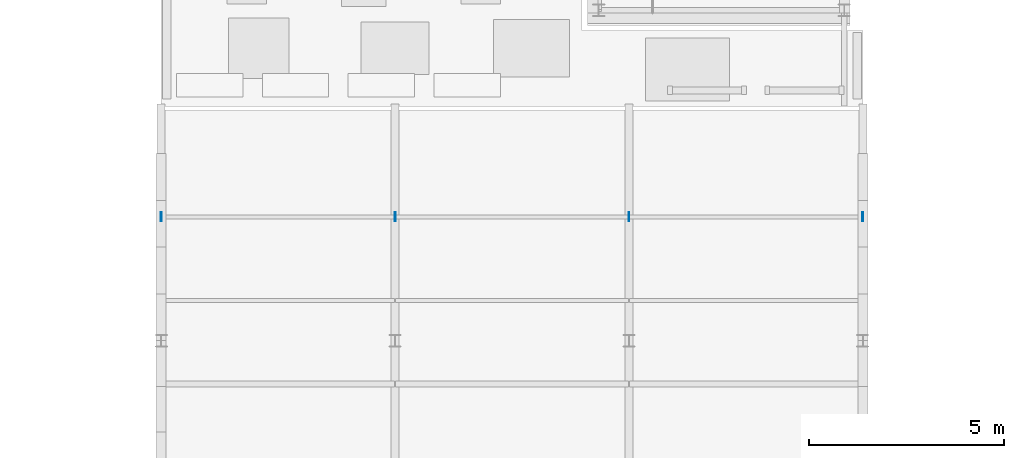
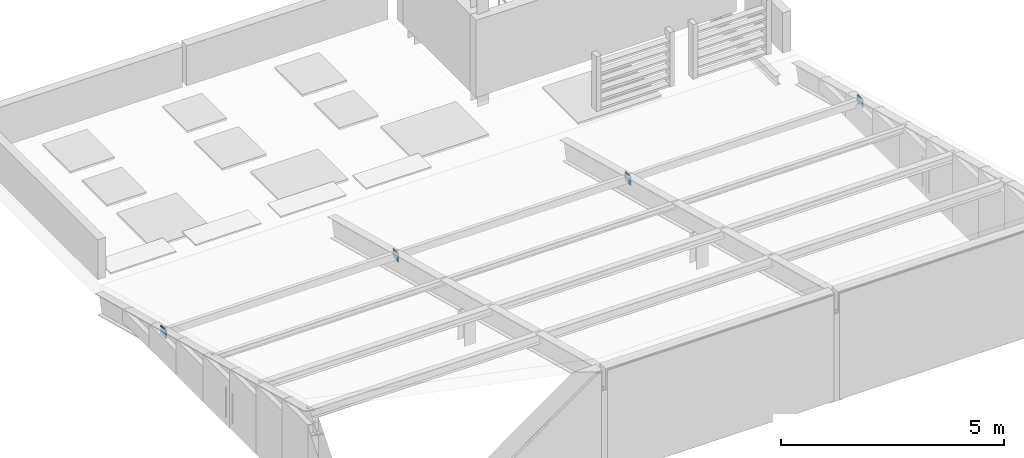
# One storey, part 56 of 74: 4 plates.
"""IFC4 building model written with IfcOpenShell, lengths in metres."""

import ifcopenshell
import ifcopenshell.guid

model = None  # the IFC model being written
_history = None  # IfcOwnerHistory: only IFC2X3 demands one
_inside = {}  # id of a spatial element -> (the spatial element, [elements in it])
_under = {}  # id of a project, library or spatial element -> (it, [spatial elements below it])
_declared = {}  # id of a project -> (the project, [libraries it declares])
_typed = {}  # id of a type object -> (the type object, [elements of that type])
_made_of = {}  # id of a material, layer set ... -> (it, [elements and type objects made of it])


def new_model(schema):
    """Start an empty IFC model of exactly this schema.

    Asked for "IFC4X3", IfcOpenShell would pick the latest addendum, in which some entities
    have other attributes; the version numbers below select the first issue.
    IFC2X3 requires an IfcOwnerHistory on every rooted entity: one is made here for all.
    """
    global model, _history
    if schema == "IFC4X3":
        model = ifcopenshell.file(schema_version=(4, 3, 0, 0))
    else:
        model = ifcopenshell.file(schema=schema)
    _inside.clear()
    _under.clear()
    _declared.clear()
    _typed.clear()
    _made_of.clear()
    _history = None
    if model.schema == "IFC2X3":
        org = make("IfcOrganization", Name="unknown")
        user = make(
            "IfcPersonAndOrganization",
            ThePerson=make("IfcPerson", FamilyName="unknown"),
            TheOrganization=org,
        )
        app = make(
            "IfcApplication",
            ApplicationDeveloper=org,
            Version="unknown",
            ApplicationFullName="unknown",
            ApplicationIdentifier="unknown",
        )
        _history = make(
            "IfcOwnerHistory",
            OwningUser=user,
            OwningApplication=app,
            ChangeAction="ADDED",
            CreationDate=0,
        )
    return model


def make(cls, **values):
    """One entity of the class cls with the attributes given. An attribute that is None is left unset."""
    return model.create_entity(
        cls, **{name: value for name, value in values.items() if value is not None}
    )


def rooted(cls, **values):
    """An entity with a GlobalId (a new one), such as an element, a storey or a relation."""
    return make(cls, GlobalId=ifcopenshell.guid.new(), OwnerHistory=_history, **values)


def si_unit(unit_type, name, prefix=None):
    """IfcSIUnit, for example si_unit("LENGTHUNIT", "METRE", prefix="MILLI")."""
    return make("IfcSIUnit", UnitType=unit_type, Prefix=prefix, Name=name)


def assignment(units):
    """IfcUnitAssignment: the units of a project."""
    return None if units is None else make("IfcUnitAssignment", Units=units)


def point(xyz):
    """IfcCartesianPoint."""
    return None if xyz is None else make("IfcCartesianPoint", Coordinates=xyz)


def direction(xyz):
    """IfcDirection."""
    return None if xyz is None else make("IfcDirection", DirectionRatios=xyz)


def frame(location, z_axis=None, x_axis=None):
    """IfcAxis2Placement3D, a coordinate frame: its origin and axes. An axis left out is left unset."""
    return make(
        "IfcAxis2Placement3D",
        Location=point(location),
        Axis=direction(z_axis),
        RefDirection=direction(x_axis),
    )


def frame_2d(location, x_axis=None):
    """IfcAxis2Placement2D, a coordinate frame in the plane: its origin and x axis."""
    return make(
        "IfcAxis2Placement2D", Location=point(location), RefDirection=direction(x_axis)
    )


def origin():
    """The frame at (0, 0, 0) with its axes left unset."""
    return frame((0.0, 0.0, 0.0))


def origin_2d():
    """The frame at (0, 0) in the plane with its x axis left unset."""
    return frame_2d((0.0, 0.0))


def place(relative_to, where):
    """IfcLocalPlacement: puts the frame where relative to a parent placement (None: the world)."""
    return make(
        "IfcLocalPlacement", PlacementRelTo=relative_to, RelativePlacement=where
    )


def context(
    kind, dimensions, precision=None, world=None, true_north=None, identifier=None
):
    """IfcGeometricRepresentationContext, for example the 3D "Model" context."""
    return make(
        "IfcGeometricRepresentationContext",
        ContextIdentifier=identifier,
        ContextType=kind,
        CoordinateSpaceDimension=dimensions,
        Precision=precision,
        WorldCoordinateSystem=world,
        TrueNorth=true_north,
    )


def subcontext(parent, identifier, kind, view, scale=None):
    """IfcGeometricRepresentationSubContext, for example "Body" below "Model"."""
    return make(
        "IfcGeometricRepresentationSubContext",
        ContextIdentifier=identifier,
        ContextType=kind,
        ParentContext=parent,
        TargetScale=scale,
        TargetView=view,
    )


def project(units=None, contexts=None):
    """IfcProject with its units and contexts."""
    return rooted(
        "IfcProject",
        Name="project",
        RepresentationContexts=contexts,
        UnitsInContext=assignment(units),
    )


def spatial(cls, under=None, at=None, **own):
    """A site, building, storey or space (cls), placed at a placement, below another one or the project."""
    s = rooted(cls, ObjectPlacement=at, **own)
    if under is not None:
        _under.setdefault(under.id(), (under, []))[1].append(s)
    return s


def profile(cls, at=None, kind="AREA", **sizes):
    """A parametric profile (cls). Its sizes go by their IFC names, for example OverallWidth=200.0."""
    return make(cls, ProfileType=kind, Position=at, **sizes)


def rectangle(**sizes):
    """IfcRectangleProfileDef."""
    return profile("IfcRectangleProfileDef", **sizes)


def extrude(swept, where, along, depth):
    """IfcExtrudedAreaSolid: the profile swept, set in the frame where, extruded along a direction by depth."""
    return make(
        "IfcExtrudedAreaSolid",
        SweptArea=swept,
        Position=where,
        ExtrudedDirection=direction(along),
        Depth=depth,
    )


def shape(context_of_items, identifier, shape_type, items):
    """IfcShapeRepresentation: the items that make up one representation, for example the "Body"."""
    return make(
        "IfcShapeRepresentation",
        ContextOfItems=context_of_items,
        RepresentationIdentifier=identifier,
        RepresentationType=shape_type,
        Items=items,
    )


def material(Name=None, Category=None):
    """IfcMaterial."""
    return make("IfcMaterial", Name=Name, Category=Category)


def layer(
    of_material, thickness, ventilated=None, Name=None, Category=None, Priority=None
):
    """IfcMaterialLayer: one layer of a wall or slab, of a material (None: an air gap)."""
    return make(
        "IfcMaterialLayer",
        Material=of_material,
        LayerThickness=thickness,
        IsVentilated=ventilated,
        Name=Name,
        Category=Category,
        Priority=Priority,
    )


def layer_set(layers, Name=None):
    """IfcMaterialLayerSet."""
    return make("IfcMaterialLayerSet", MaterialLayers=layers, LayerSetName=Name)


def made_of(thing, what):
    """Note that an element or type object is made of a material, layer set ...; save() writes the relation."""
    if what is not None:
        _made_of.setdefault(what.id(), (what, []))[1].append(thing)
    return thing


def type_object(cls, material=None, **own):
    """A type object (cls), such as IfcWallType, which elements share."""
    return made_of(rooted(cls, **own), material)


def element(
    cls,
    number,
    at=None,
    inside=None,
    cuts=None,
    type_object=None,
    material=None,
    context=None,
    identifier="Body",
    shape_type=None,
    held_by="IfcProductDefinitionShape",
    body=None,
    shapes=None,
    **own,
):
    """One element of the class cls, such as IfcWall. Its Tag is "e" and its number.

    at: its placement. inside: the storey or other place that contains it. cuts: it is an
    opening in that element (IfcRelVoidsElement). A single representation is given by context,
    identifier, shape_type and body (its items); several are given by shapes. held_by: the class
    of the entity that holds the representations. save() writes the other relations.
    """
    e = rooted(cls, Tag="e%d" % number, ObjectPlacement=at, **own)
    if body is not None:
        shapes = [shape(context, identifier, shape_type, body)]
    if shapes is not None:
        e.Representation = make(held_by, Representations=shapes)
    if inside is not None:
        _inside.setdefault(inside.id(), (inside, []))[1].append(e)
    if cuts is not None:
        rooted(
            "IfcRelVoidsElement", RelatingBuildingElement=cuts, RelatedOpeningElement=e
        )
    if type_object is not None:
        _typed.setdefault(type_object.id(), (type_object, []))[1].append(e)
    return made_of(e, material)


def aggregate(whole, parts):
    """IfcRelAggregates: a whole, such as a stair, and the parts it consists of."""
    return rooted("IfcRelAggregates", RelatingObject=whole, RelatedObjects=parts)


def save(model, path):
    """Write the relations noted so far, then the file.

    IfcRelAggregates (storeys below a building ...), IfcRelContainedInSpatialStructure (elements
    in a storey), IfcRelDefinesByType, IfcRelAssociatesMaterial and IfcRelDeclares: one each for
    every whole, place, type object, material and project.
    """
    for whole, parts in _under.values():
        aggregate(whole, parts)
    for where, things in _inside.values():
        rooted(
            "IfcRelContainedInSpatialStructure",
            RelatedElements=things,
            RelatingStructure=where,
        )
    for kind, things in _typed.values():
        rooted("IfcRelDefinesByType", RelatedObjects=things, RelatingType=kind)
    for what, things in _made_of.values():
        rooted("IfcRelAssociatesMaterial", RelatedObjects=things, RelatingMaterial=what)
    for by, libraries in _declared.values():
        rooted("IfcRelDeclares", RelatingContext=by, RelatedDefinitions=libraries)
    model.write(path)


model = new_model("IFC4")

# Units and contexts
model_context = context("Model", 3, precision=1e-05, world=origin(), true_north=direction((0.0, 1.0)))
body_context = subcontext(model_context, "Body", "Model", "MODEL_VIEW")
ifc_project = project(units=[si_unit("LENGTHUNIT", "METRE"), si_unit("AREAUNIT", "SQUARE_METRE"), si_unit("VOLUMEUNIT", "CUBIC_METRE"), si_unit("PLANEANGLEUNIT", "RADIAN"), si_unit("MASSUNIT", "GRAM", prefix="KILO")], contexts=[model_context])

# Site, building, storey
site_placement = place(None, origin())
site = spatial("IfcSite", under=ifc_project, at=site_placement, CompositionType="ELEMENT")
building_placement = place(site_placement, origin())
building = spatial("IfcBuilding", under=site, at=building_placement, Name="Siltcreek Boulevard Central Fire Station", CompositionType="ELEMENT")
storey_placement = place(building_placement, frame((0.0, 0.0, 25.199951171875)))
storey = spatial("IfcBuildingStorey", under=building, at=storey_placement, Name="RF", CompositionType="ELEMENT", Elevation=25.199951171875)

# Plates
ifc_material = material(Name="Structural steel ASTM A572 Gr50", Category="steel")
ifc_layer = layer(ifc_material, 0.02490234375, Name="Structural steel ASTM A572 Gr50")
ifc_layer_set = layer_set([ifc_layer], Name="Structural steel ASTM A572 Gr50")
plate_type = type_object("IfcPlateType", Name="PL_CAP25", PredefinedType="USERDEFINED", material=ifc_layer_set)
for number, where, z_axis, x_axis, name in (
    (1, (41.99951171875, 103.3759765625, 0.3095703125), (0.0, 0.0, 1.0), (1.0, 0.0, 0.0), "Sloped roof purlin PR-0175 sealed end cap 1"),
    (2, (48.00048828125, 103.3759765625, 0.3095703125), (0.0, 0.0, 1.0), (1.0, 0.0, 0.0), "Sloped roof purlin PR-0175 sealed end cap 2"),
    (3, (54.00048828125, 103.3759765625, 0.3095703125), (0.0, 0.0, 1.0), (1.0, 0.0, 0.0), "Sloped roof purlin PR-0179 sealed end cap 2"),
    (4, (60.00048828125, 103.3759765625, 0.3095703125), (0.0, 0.0, 1.0), (1.0, 0.0, 0.0), "Sloped roof purlin PR-0183 sealed end cap 2"),
):
    element("IfcPlate", number, at=place(storey_placement, frame(where, z_axis=z_axis, x_axis=x_axis)), inside=storey, type_object=plate_type, Name=name, ObjectType="END CAP", PredefinedType="USERDEFINED", context=body_context, shape_type="SweptSolid", body=[
        extrude(rectangle(XDim=0.02490234375, YDim=0.239990234375, at=origin_2d()), origin(), (0.0, 0.0, 1.0), 0.239990234375),
    ])

save(model, "model.ifc")
